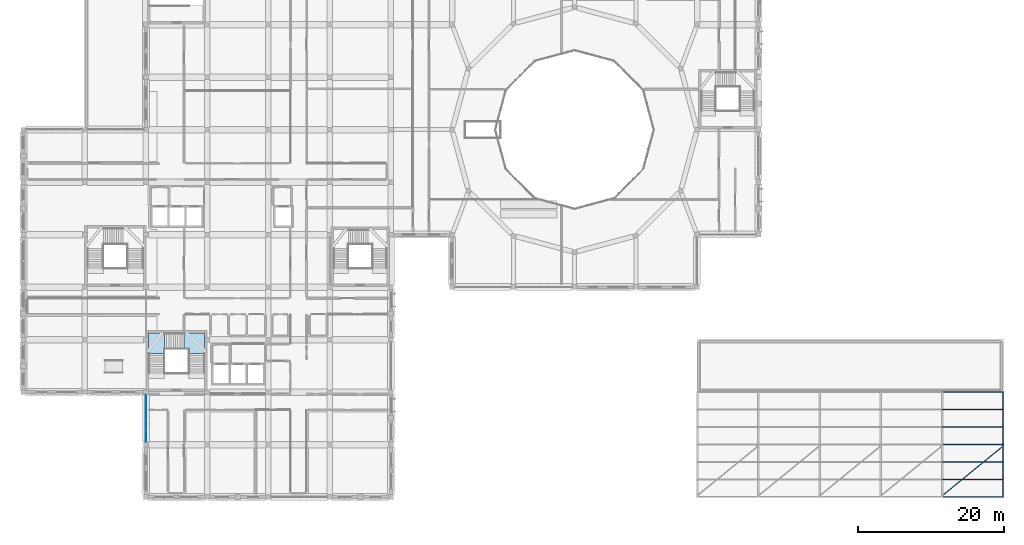
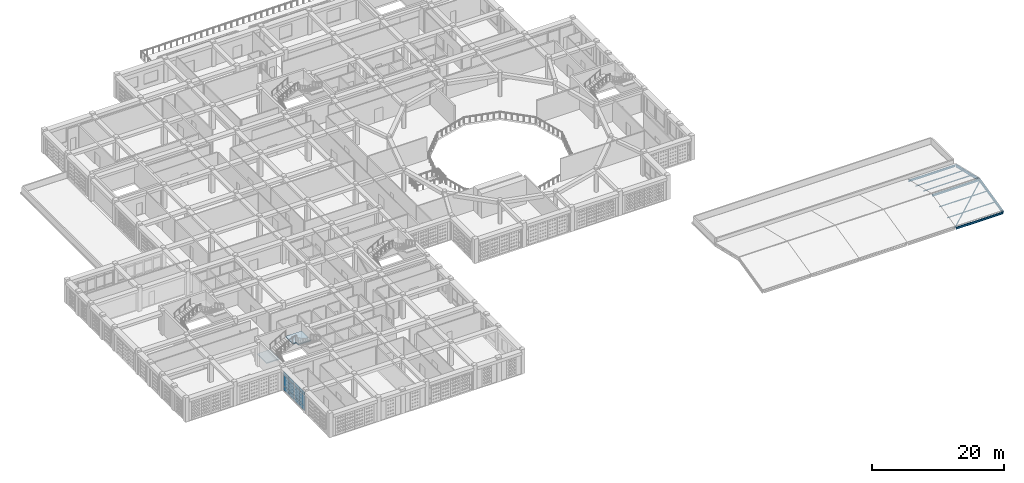
# One storey, part 30 of 79: 12 plates, 5 beams, 5 members, 2 slabs, 2 elements without a shape of their own.
"""IFC4 building model written with IfcOpenShell, lengths in metres."""

from ifc_helpers import new_model, si_unit, derived_unit, direction, frame, origin, origin_2d, place, context, subcontext, project, spatial, polyline, rectangle, hollow_rectangle, hollow_circle, i_section, outline, extrude, material, layer, layer_set, material_profile, profile_set, type_object, element, aggregate, save


model = new_model("IFC4")

# Units and contexts
model_context = context("Model", 3, precision=1e-05, world=origin(), true_north=direction((0.0, 1.0)))
body_context = subcontext(model_context, "Body", "Model", "MODEL_VIEW")
ifc_project = project(units=[si_unit("LENGTHUNIT", "METRE"), si_unit("AREAUNIT", "SQUARE_METRE"), si_unit("VOLUMEUNIT", "CUBIC_METRE"), si_unit("PLANEANGLEUNIT", "RADIAN"), si_unit("MASSUNIT", "GRAM", prefix="KILO"), derived_unit("THERMALTRANSMITTANCEUNIT", [(si_unit("POWERUNIT", "WATT"), 1), (si_unit("LENGTHUNIT", "METRE"), -2), (si_unit("THERMODYNAMICTEMPERATUREUNIT", "KELVIN"), -1)])], contexts=[model_context])

# Site, building, storey
site_placement = place(None, origin())
site = spatial("IfcSite", under=ifc_project, at=site_placement, CompositionType="ELEMENT")
building_placement = place(site_placement, origin())
building = spatial("IfcBuilding", under=site, at=building_placement, Name="Veybourne Emporium", CompositionType="ELEMENT")
storey_placement = place(building_placement, frame((0.0, 0.0, 18.89990234375)))
storey = spatial("IfcBuildingStorey", under=building, at=storey_placement, Name="L04", CompositionType="ELEMENT", Elevation=18.89990234375)

# Beams
ifc_material_1 = material(Name="Steel S355", Category="steel")
ifc_material_profile_1 = material_profile(ifc_material_1, i_section(OverallWidth=0.1904296875, OverallDepth=0.45703125, WebThickness=0.009033203125, FlangeThickness=0.014404296875, FilletRadius=0.01025390625, at=origin_2d()), Name="UKB 457x191x74")
ifc_profile_set_1 = profile_set([ifc_material_profile_1], Name="Steel S355")
beam_type_1 = type_object("IfcBeamType", Name="SteelBeam_FR-01", PredefinedType="BEAM", material=ifc_profile_set_1)
for number, where, z_axis, x_axis, name in (
    (1, (134.39990234375, 0.0, 0.1201171875), (0.0, 0.973240729357, 0.229787908125), (-1.0, 0.0, 0.0), "Food hall south portal rafter 05"),
    (2, (134.39990234375, 7.199951171875, 1.820068359375), (0.0, 0.973240729357, -0.229787908125), (-1.0, 0.0, 0.0), "Food hall north portal rafter 05"),
):
    element("IfcBeam", number, at=place(storey_placement, frame(where, z_axis=z_axis, x_axis=x_axis)), inside=storey, type_object=beam_type_1, Name=name, PredefinedType="BEAM", context=body_context, shape_type="SweptSolid", body=[
        extrude(i_section(OverallWidth=0.1904296875, OverallDepth=0.45703125, WebThickness=0.009033203125, FlangeThickness=0.014404296875, FilletRadius=0.01025390625, at=origin_2d()), origin(), (0.0, 0.0, 1.0), 7.39794921875),
    ])
ifc_material_profile_2 = material_profile(ifc_material_1, i_section(OverallWidth=0.17138671875, OverallDepth=0.35498046875, WebThickness=0.00732421875, FlangeThickness=0.011474609375, FilletRadius=0.01025390625, at=origin_2d()), Name="UKB 356x171x51")
ifc_profile_set_2 = profile_set([ifc_material_profile_2], Name="Steel S355")
beam_type_2 = type_object("IfcBeamType", Name="SteelBeam_FR-02", PredefinedType="BEAM", material=ifc_profile_set_2)
for number, where, z_axis, x_axis, name in (
    (3, (126.1298828125, 0.0, 0.1201171875), (1.0, 0.0, 0.0), (0.0, 1.0, 0.0), "Food hall longitudinal roof beam S.04"),
    (4, (126.1298828125, 7.199951171875, 1.820068359375), (1.0, 0.0, 0.0), (0.0, 1.0, 0.0), "Food hall longitudinal roof beam R.04"),
    (5, (126.1298828125, 14.39990234375, 0.1201171875), (1.0, 0.0, 0.0), (0.0, 1.0, 0.0), "Food hall longitudinal roof beam N.04"),
):
    element("IfcBeam", number, at=place(storey_placement, frame(where, z_axis=z_axis, x_axis=x_axis)), inside=storey, type_object=beam_type_2, Name=name, PredefinedType="BEAM", context=body_context, shape_type="SweptSolid", body=[
        extrude(i_section(OverallWidth=0.17138671875, OverallDepth=0.35498046875, WebThickness=0.00732421875, FlangeThickness=0.011474609375, FilletRadius=0.01025390625, at=origin_2d()), origin(), (0.0, 0.0, 1.0), 8.14013671875),
    ])

# Members
ifc_material_profile_3 = material_profile(ifc_material_1, hollow_circle(Radius=0.05712890625, WallThickness=0.00634765625, at=origin_2d()), Name="CHS 114.3x6.3")
ifc_profile_set_3 = profile_set([ifc_material_profile_3], Name="Steel S355")
member_type_1 = type_object("IfcMemberType", Name="SteelMem_FB-01", PredefinedType="BRACE", material=ifc_profile_set_3)
member_placement = place(storey_placement, frame((126.14990234375, 0.300048828125, 0.10009765625), z_axis=(0.766090673856, 0.624200650623, 0.1532273709), x_axis=(-0.631659948418, 0.775245580165, 0.0)))
element("IfcMember", 6, at=member_placement, inside=storey, type_object=member_type_1, Name="Food hall roof wind brace 04", PredefinedType="BRACE", context=body_context, shape_type="SweptSolid", body=[
    extrude(hollow_circle(Radius=0.05712890625, WallThickness=0.00634765625, at=origin_2d()), origin(), (0.0, 0.0, 1.0), 10.5732421875),
])
ifc_material_profile_4 = material_profile(ifc_material_1, hollow_rectangle(XDim=0.14990234375, YDim=0.14990234375, WallThickness=0.008056640625, InnerFilletRadius=0.011962890625, OuterFilletRadius=0.02001953125, at=origin_2d()), Name="SHS 150x150x8")
ifc_profile_set_4 = profile_set([ifc_material_profile_4], Name="Steel S355")
member_type_2 = type_object("IfcMemberType", Name="SteelMem_FP-01M", PredefinedType="PURLIN", material=ifc_profile_set_4)
for number, where, z_axis, x_axis, name in (
    (7, (126.0, 2.39990234375, 0.650146484375), (1.0, 0.0, 0.0), (0.0, 1.0, 0.0), "Food hall purlin 4.1"),
    (8, (126.0, 4.800048828125, 1.22021484375), (1.0, 0.0, 0.0), (0.0, 1.0, 0.0), "Food hall purlin 4.2"),
    (9, (126.0, 9.60009765625, 1.22021484375), (1.0, 0.0, 0.0), (0.0, 1.0, 0.0), "Food hall purlin 4.3"),
    (10, (126.0, 12.0, 0.650146484375), (1.0, 0.0, 0.0), (0.0, 1.0, 0.0), "Food hall purlin 4.4"),
):
    element("IfcMember", number, at=place(storey_placement, frame(where, z_axis=z_axis, x_axis=x_axis)), inside=storey, type_object=member_type_2, Name=name, PredefinedType="PURLIN", context=body_context, shape_type="SweptSolid", body=[
        extrude(hollow_rectangle(XDim=0.14990234375, YDim=0.14990234375, WallThickness=0.008056640625, InnerFilletRadius=0.011962890625, OuterFilletRadius=0.02001953125, at=origin_2d()), origin(), (0.0, 0.0, 1.0), 8.39990234375),
    ])

# Curtain wall, plates
ifc_material_2 = material(Name="Patinated Architectural Bronze", Category="bronze")
curtain_wall_type = type_object("IfcCurtainWallType", Name="CWSystem_CWS-26", PredefinedType="NOTDEFINED", material=ifc_material_2)
curtain_wall_placement = place(storey_placement, origin())
curtain_wall = element("IfcCurtainWall", 11, at=curtain_wall_placement, inside=storey, type_object=curtain_wall_type, Name="L04 bronze glazed curtain wall CWS-26 (012)", PredefinedType="NOTDEFINED")
ifc_material_3 = material(Name="Low-E Triple Glazing", Category="glass")
ifc_layer_1 = layer(ifc_material_3, 0.028076171875)
ifc_layer_set_1 = layer_set([ifc_layer_1], Name="Low-E Triple Glazing")
plate_type = type_object("IfcPlateType", Name="CWPanel_CW-P1", PredefinedType="CURTAIN_PANEL", material=ifc_layer_set_1)
plate_1_placement = place(storey_placement, frame((16.800048828125, 8.362548828125, 0.074951171875), z_axis=(0.0, 0.0, 1.0), x_axis=(0.0, 1.0, 0.0)))
plate_1 = element("IfcPlate", 12, at=plate_1_placement, type_object=plate_type, Name="CWS-26 panel 1.1", PredefinedType="CURTAIN_PANEL", context=body_context, shape_type="SweptSolid", body=[
    extrude(rectangle(XDim=1.52490234375, YDim=0.028076171875, at=origin_2d()), origin(), (0.0, 0.0, 1.0), 0.78759765625),
])
plate_2_placement = place(storey_placement, frame((16.800048828125, 8.362548828125, 0.9375), z_axis=(0.0, 0.0, 1.0), x_axis=(0.0, 1.0, 0.0)))
plate_2 = element("IfcPlate", 13, at=plate_2_placement, type_object=plate_type, Name="CWS-26 panel 1.2", PredefinedType="CURTAIN_PANEL", context=body_context, shape_type="SweptSolid", body=[
    extrude(rectangle(XDim=1.52490234375, YDim=0.028076171875, at=origin_2d()), origin(), (0.0, 0.0, 1.0), 1.905029296875),
])
plate_3_placement = place(storey_placement, frame((16.800048828125, 8.362548828125, 2.91748046875), z_axis=(0.0, 0.0, 1.0), x_axis=(0.0, 1.0, 0.0)))
plate_3 = element("IfcPlate", 14, at=plate_3_placement, type_object=plate_type, Name="CWS-26 panel 1.3", PredefinedType="CURTAIN_PANEL", context=body_context, shape_type="SweptSolid", body=[
    extrude(rectangle(XDim=1.52490234375, YDim=0.028076171875, at=origin_2d()), origin(), (0.0, 0.0, 1.0), 0.637451171875),
])
plate_4_placement = place(storey_placement, frame((16.800048828125, 9.981201171875, 0.074951171875), z_axis=(0.0, 0.0, 1.0), x_axis=(0.0, 1.0, 0.0)))
plate_4 = element("IfcPlate", 15, at=plate_4_placement, type_object=plate_type, Name="CWS-26 panel 2.1", PredefinedType="CURTAIN_PANEL", context=body_context, shape_type="SweptSolid", body=[
    extrude(rectangle(XDim=1.5625, YDim=0.028076171875, at=origin_2d()), origin(), (0.0, 0.0, 1.0), 0.78759765625),
])
plate_5_placement = place(storey_placement, frame((16.800048828125, 9.981201171875, 0.9375), z_axis=(0.0, 0.0, 1.0), x_axis=(0.0, 1.0, 0.0)))
plate_5 = element("IfcPlate", 16, at=plate_5_placement, type_object=plate_type, Name="CWS-26 panel 2.2", PredefinedType="CURTAIN_PANEL", context=body_context, shape_type="SweptSolid", body=[
    extrude(rectangle(XDim=1.5625, YDim=0.028076171875, at=origin_2d()), origin(), (0.0, 0.0, 1.0), 1.905029296875),
])
plate_6_placement = place(storey_placement, frame((16.800048828125, 9.981201171875, 2.91748046875), z_axis=(0.0, 0.0, 1.0), x_axis=(0.0, 1.0, 0.0)))
plate_6 = element("IfcPlate", 17, at=plate_6_placement, type_object=plate_type, Name="CWS-26 panel 2.3", PredefinedType="CURTAIN_PANEL", context=body_context, shape_type="SweptSolid", body=[
    extrude(rectangle(XDim=1.5625, YDim=0.028076171875, at=origin_2d()), origin(), (0.0, 0.0, 1.0), 0.637451171875),
])
plate_7_placement = place(storey_placement, frame((16.800048828125, 11.61865234375, 0.074951171875), z_axis=(0.0, 0.0, 1.0), x_axis=(0.0, 1.0, 0.0)))
plate_7 = element("IfcPlate", 18, at=plate_7_placement, type_object=plate_type, Name="CWS-26 panel 3.1", PredefinedType="CURTAIN_PANEL", context=body_context, shape_type="SweptSolid", body=[
    extrude(rectangle(XDim=1.5625, YDim=0.028076171875, at=origin_2d()), origin(), (0.0, 0.0, 1.0), 0.78759765625),
])
plate_8_placement = place(storey_placement, frame((16.800048828125, 11.61865234375, 0.9375), z_axis=(0.0, 0.0, 1.0), x_axis=(0.0, 1.0, 0.0)))
plate_8 = element("IfcPlate", 19, at=plate_8_placement, type_object=plate_type, Name="CWS-26 panel 3.2", PredefinedType="CURTAIN_PANEL", context=body_context, shape_type="SweptSolid", body=[
    extrude(rectangle(XDim=1.5625, YDim=0.028076171875, at=origin_2d()), origin(), (0.0, 0.0, 1.0), 1.905029296875),
])
plate_9_placement = place(storey_placement, frame((16.800048828125, 11.61865234375, 2.91748046875), z_axis=(0.0, 0.0, 1.0), x_axis=(0.0, 1.0, 0.0)))
plate_9 = element("IfcPlate", 20, at=plate_9_placement, type_object=plate_type, Name="CWS-26 panel 3.3", PredefinedType="CURTAIN_PANEL", context=body_context, shape_type="SweptSolid", body=[
    extrude(rectangle(XDim=1.5625, YDim=0.028076171875, at=origin_2d()), origin(), (0.0, 0.0, 1.0), 0.637451171875),
])
plate_10_placement = place(storey_placement, frame((16.800048828125, 13.237548828125, 0.074951171875), z_axis=(0.0, 0.0, 1.0), x_axis=(0.0, 1.0, 0.0)))
plate_10 = element("IfcPlate", 21, at=plate_10_placement, type_object=plate_type, Name="CWS-26 panel 4.1", PredefinedType="CURTAIN_PANEL", context=body_context, shape_type="SweptSolid", body=[
    extrude(rectangle(XDim=1.52490234375, YDim=0.028076171875, at=origin_2d()), origin(), (0.0, 0.0, 1.0), 0.78759765625),
])
plate_11_placement = place(storey_placement, frame((16.800048828125, 13.237548828125, 0.9375), z_axis=(0.0, 0.0, 1.0), x_axis=(0.0, 1.0, 0.0)))
plate_11 = element("IfcPlate", 22, at=plate_11_placement, type_object=plate_type, Name="CWS-26 panel 4.2", PredefinedType="CURTAIN_PANEL", context=body_context, shape_type="SweptSolid", body=[
    extrude(rectangle(XDim=1.52490234375, YDim=0.028076171875, at=origin_2d()), origin(), (0.0, 0.0, 1.0), 1.905029296875),
])
plate_12_placement = place(storey_placement, frame((16.800048828125, 13.237548828125, 2.91748046875), z_axis=(0.0, 0.0, 1.0), x_axis=(0.0, 1.0, 0.0)))
plate_12 = element("IfcPlate", 23, at=plate_12_placement, type_object=plate_type, Name="CWS-26 panel 4.3", PredefinedType="CURTAIN_PANEL", context=body_context, shape_type="SweptSolid", body=[
    extrude(rectangle(XDim=1.52490234375, YDim=0.028076171875, at=origin_2d()), origin(), (0.0, 0.0, 1.0), 0.637451171875),
])
aggregate(curtain_wall, [plate_1, plate_2, plate_3, plate_4, plate_5, plate_6, plate_7, plate_8, plate_9, plate_10, plate_11, plate_12])

# Stair, slabs
ifc_material_4 = material(Name="Concrete C32/40", Category="concrete")
stair_type = type_object("IfcStairType", Name="Stair_ST-01-R30", PredefinedType="TWO_QUARTER_TURN_STAIR", material=ifc_material_4)
stair_placement = place(storey_placement, origin())
stair = element("IfcStair", 24, at=stair_placement, inside=storey, type_object=stair_type, Name="L04 stair ST-01", PredefinedType="TWO_QUARTER_TURN_STAIR")
ifc_layer_2 = layer(ifc_material_4, 0.199951171875)
ifc_layer_set_2 = layer_set([ifc_layer_2], Name="Concrete C32/40")
slab_type = type_object("IfcSlabType", Name="Landing_LDG-01", PredefinedType="LANDING", material=ifc_layer_set_2)
slab_1_placement = place(storey_placement, frame((0.0, 0.0, 1.300048828125)))
slab_1 = element("IfcSlab", 25, at=slab_1_placement, type_object=slab_type, Name="ST-01-R30 landing 1", PredefinedType="LANDING", context=body_context, shape_type="SweptSolid", body=[
    extrude(outline(polyline([(17.14990234375, 19.699951171875), (19.35009765625, 19.699951171875), (19.35009765625, 22.5), (17.14990234375, 22.5), (17.14990234375, 19.699951171875)])), origin(), (0.0, 0.0, 1.0), 0.199951171875),
])
slab_2_placement = place(storey_placement, frame((0.0, 0.0, 2.800048828125)))
slab_2 = element("IfcSlab", 26, at=slab_2_placement, type_object=slab_type, Name="ST-01-R30 landing 2", PredefinedType="LANDING", context=body_context, shape_type="SweptSolid", body=[
    extrude(outline(polyline([(22.050048828125, 20.300048828125), (22.64990234375, 20.300048828125), (22.64990234375, 19.699951171875), (24.85009765625, 19.699951171875), (24.85009765625, 22.5), (22.050048828125, 22.5), (22.050048828125, 20.300048828125)])), origin(), (0.0, 0.0, 1.0), 0.199951171875),
])
aggregate(stair, [slab_1, slab_2])

save(model, "model.ifc")
